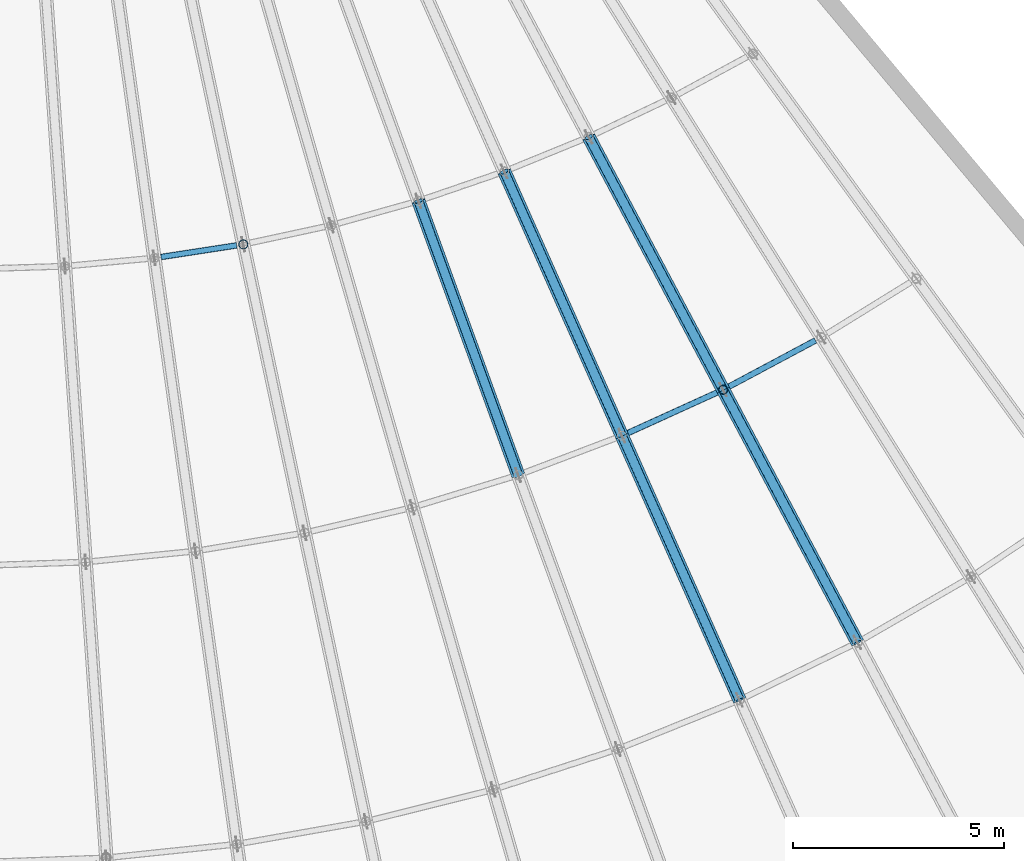
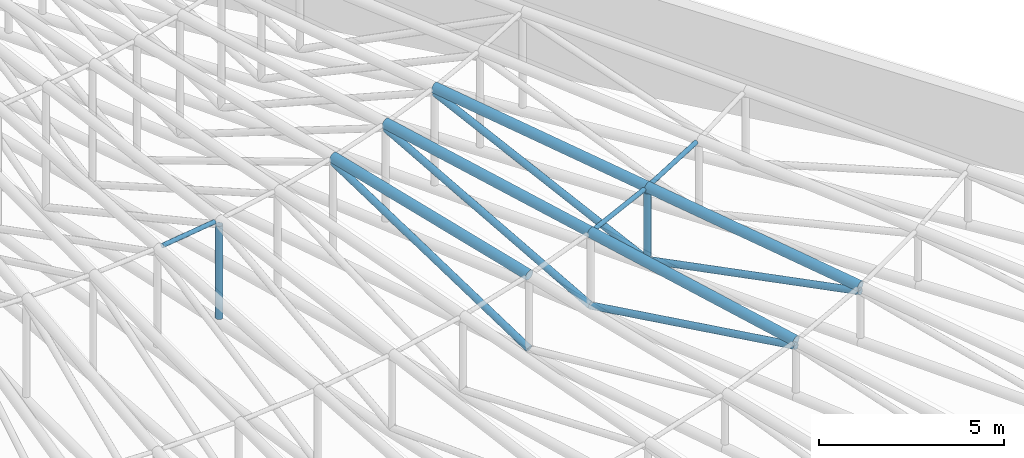
# One storey, part 35 of 163: 15 members.
"""IFC4 building model written with IfcOpenShell, lengths in metres."""

from ifc_helpers import new_model, si_unit, direction, frame, origin, origin_2d, place, context, subcontext, project, spatial, hollow_circle, extrude, material, material_profile, profile_set, type_object, element, save


model = new_model("IFC4")

# Units and contexts
model_context = context("Model", 3, precision=1e-05, world=origin(), true_north=direction((0.0, 1.0)))
body_context = subcontext(model_context, "Body", "Model", "MODEL_VIEW")
ifc_project = project(units=[si_unit("LENGTHUNIT", "METRE"), si_unit("AREAUNIT", "SQUARE_METRE"), si_unit("VOLUMEUNIT", "CUBIC_METRE"), si_unit("PLANEANGLEUNIT", "RADIAN"), si_unit("MASSUNIT", "GRAM", prefix="KILO")], contexts=[model_context])

# Site, building, storey
site_placement = place(None, origin())
site = spatial("IfcSite", under=ifc_project, at=site_placement, CompositionType="ELEMENT")
building_placement = place(site_placement, origin())
building = spatial("IfcBuilding", under=site, at=building_placement, Name="Rain Tree Exposition and Congress Centre", CompositionType="ELEMENT")
storey_placement = place(building_placement, frame((0.0, 0.0, 10.5)))
storey = spatial("IfcBuildingStorey", under=building, at=storey_placement, Name="L02", CompositionType="ELEMENT", Elevation=10.5)

# Members
ifc_material_1 = material(Name="Steel S355J2H", Category="steel")
ifc_material_profile_1 = material_profile(ifc_material_1, hollow_circle(Radius=0.108154296875, WallThickness=0.008056640625, at=origin_2d()), Name="CHS 216x8")
ifc_profile_set_1 = profile_set([ifc_material_profile_1], Name="Steel S355J2H")
member_type_1 = type_object("IfcMemberType", Name="Steel brace member CHS 216x8", PredefinedType="BRACE", material=ifc_profile_set_1)
member_1_placement = place(storey_placement, frame((214.48681640625, 31.793701171875, 0.318603515625), z_axis=(-0.313006046019, 0.859935451377, 0.403160308836), x_axis=(-0.939687304086, -0.342034750487, 0.0)))
element("IfcMember", 1, at=member_1_placement, inside=storey, type_object=member_type_1, Name="TD15-3", PredefinedType="BRACE", context=body_context, shape_type="SweptSolid", body=[
    extrude(hollow_circle(Radius=0.108154296875, WallThickness=0.008056640625, at=origin_2d()), origin(), (0.0, 0.0, 1.0), 7.5634765625),
])
member_2_placement = place(storey_placement, frame((219.740478515625, 26.455810546875, 1.810546875), z_axis=(-0.397453191662, 0.892705725868, -0.212385139406), x_axis=(-0.913547360783, -0.406732368524, 0.0)))
element("IfcMember", 2, at=member_2_placement, inside=storey, type_object=member_type_1, Name="TD16-2", PredefinedType="BRACE", context=body_context, shape_type="SweptSolid", body=[
    extrude(hollow_circle(Radius=0.108154296875, WallThickness=0.008056640625, at=origin_2d()), origin(), (0.0, 0.0, 1.0), 7.024658203125),
])
member_3_placement = place(storey_placement, frame((216.948486328125, 32.726806640625, 0.318603515625), z_axis=(-0.371977625984, 0.835453421073, 0.404537052672), x_axis=(-0.913541476776, -0.406745584131, 0.0)))
element("IfcMember", 3, at=member_3_placement, inside=storey, type_object=member_type_1, Name="TD16-3", PredefinedType="BRACE", context=body_context, shape_type="SweptSolid", body=[
    extrude(hollow_circle(Radius=0.108154296875, WallThickness=0.008056640625, at=origin_2d()), origin(), (0.0, 0.0, 1.0), 7.505859375),
])
member_4_placement = place(storey_placement, frame((222.538330078125, 27.820556640625, 1.810546875), z_axis=(-0.458528194381, 0.862399490994, -0.214520425346), x_axis=(-0.882955125335, -0.469457395984, 0.0)))
element("IfcMember", 4, at=member_4_placement, inside=storey, type_object=member_type_1, Name="TD17-2", PredefinedType="BRACE", context=body_context, shape_type="SweptSolid", body=[
    extrude(hollow_circle(Radius=0.108154296875, WallThickness=0.008056640625, at=origin_2d()), origin(), (0.0, 0.0, 1.0), 6.954833984375),
])
member_5_placement = place(storey_placement, frame((219.349365234375, 33.818359375, 0.318603515625), z_axis=(-0.428982689228, 0.806801401588, 0.406257739297), x_axis=(-0.882948148784, -0.469470517241, 0.0)))
element("IfcMember", 5, at=member_5_placement, inside=storey, type_object=member_type_1, Name="TD17-3", PredefinedType="BRACE", context=body_context, shape_type="SweptSolid", body=[
    extrude(hollow_circle(Radius=0.108154296875, WallThickness=0.008056640625, at=origin_2d()), origin(), (0.0, 0.0, 1.0), 7.434326171875),
])
ifc_material_2 = material(Name="Steel S355J2H", Category="steel")
ifc_material_profile_2 = material_profile(ifc_material_2, hollow_circle(Radius=0.1591796875, WallThickness=0.010009765625, at=origin_2d()), Name="CHS 318x10")
ifc_profile_set_2 = profile_set([ifc_material_profile_2], Name="Steel S355J2H")
member_type_2 = type_object("IfcMemberType", Name="Steel chord member CHS 318x10", PredefinedType="CHORD", material=ifc_profile_set_2)
member_6_placement = place(storey_placement, frame((214.48681640625, 31.793701171875, 2.750244140625), z_axis=(-0.339891280094, 0.933798452408, 0.111778208953), x_axis=(-0.939687304086, -0.342034750487, 0.0)))
element("IfcMember", 6, at=member_6_placement, inside=storey, type_object=member_type_2, Name="TT15-3", PredefinedType="CHORD", context=body_context, shape_type="SweptSolid", body=[
    extrude(hollow_circle(Radius=0.1591796875, WallThickness=0.010009765625, at=origin_2d()), origin(), (0.0, 0.0, 1.0), 6.96533203125),
])
member_7_placement = place(storey_placement, frame((219.740478515625, 26.455810546875, 1.971435546875), z_axis=(-0.404182909881, 0.907821110808, 0.11179000909), x_axis=(-0.913547360783, -0.406732368524, 0.0)))
element("IfcMember", 7, at=member_7_placement, inside=storey, type_object=member_type_2, Name="TT16-2", PredefinedType="CHORD", context=body_context, shape_type="SweptSolid", body=[
    extrude(hollow_circle(Radius=0.1591796875, WallThickness=0.010009765625, at=origin_2d()), origin(), (0.0, 0.0, 1.0), 6.90771484375),
])
member_8_placement = place(storey_placement, frame((216.948486328125, 32.726806640625, 2.74365234375), z_axis=(-0.404194281199, 0.907811307503, 0.111828498226), x_axis=(-0.913541476776, -0.406745584131, 0.0)))
element("IfcMember", 8, at=member_8_placement, inside=storey, type_object=member_type_2, Name="TT16-3", PredefinedType="CHORD", context=body_context, shape_type="SweptSolid", body=[
    extrude(hollow_circle(Radius=0.1591796875, WallThickness=0.010009765625, at=origin_2d()), origin(), (0.0, 0.0, 1.0), 6.907470703125),
])
member_9_placement = place(storey_placement, frame((222.538330078125, 27.820556640625, 1.971435546875), z_axis=(-0.466514807022, 0.877420706179, 0.111789262439), x_axis=(-0.882955125335, -0.469457395984, 0.0)))
element("IfcMember", 9, at=member_9_placement, inside=storey, type_object=member_type_2, Name="TT17-2", PredefinedType="CHORD", context=body_context, shape_type="SweptSolid", body=[
    extrude(hollow_circle(Radius=0.1591796875, WallThickness=0.010009765625, at=origin_2d()), origin(), (0.0, 0.0, 1.0), 6.835693359375),
])
member_10_placement = place(storey_placement, frame((219.349365234375, 33.818359375, 2.735595703125), z_axis=(-0.466526266629, 0.877410802921, 0.111819164114), x_axis=(-0.882948148784, -0.469470517241, 0.0)))
element("IfcMember", 10, at=member_10_placement, inside=storey, type_object=member_type_2, Name="TT17-3", PredefinedType="CHORD", context=body_context, shape_type="SweptSolid", body=[
    extrude(hollow_circle(Radius=0.1591796875, WallThickness=0.010009765625, at=origin_2d()), origin(), (0.0, 0.0, 1.0), 6.836181640625),
])
ifc_material_3 = material(Name="Steel S355J2H", Category="steel")
ifc_material_profile_3 = material_profile(ifc_material_3, hollow_circle(Radius=0.108154296875, WallThickness=0.008056640625, at=origin_2d()), Name="CHS 216x8")
ifc_profile_set_3 = profile_set([ifc_material_profile_3], Name="Steel S355J2H")
member_type_3 = type_object("IfcMemberType", Name="Steel post member CHS 216x8", PredefinedType="POST", material=ifc_profile_set_3)
member_11_placement = place(storey_placement, frame((207.962158203125, 37.268798828125, 0.318603515625), z_axis=(0.0, 0.0, 1.0), x_axis=(1.0, 0.0, 0.0)))
element("IfcMember", 11, at=member_11_placement, inside=storey, type_object=member_type_3, Name="TP13-3", PredefinedType="POST", context=body_context, shape_type="SweptSolid", body=[
    extrude(hollow_circle(Radius=0.108154296875, WallThickness=0.008056640625, at=origin_2d()), origin(), (0.0, 0.0, 1.0), 3.06689453125),
])
member_12_placement = place(storey_placement, frame((219.349365234375, 33.818359375, 0.318603515625), z_axis=(0.0, 0.0, 1.0), x_axis=(1.0, 0.0, 0.0)))
element("IfcMember", 12, at=member_12_placement, inside=storey, type_object=member_type_3, Name="TP17-2", PredefinedType="POST", context=body_context, shape_type="SweptSolid", body=[
    extrude(hollow_circle(Radius=0.108154296875, WallThickness=0.008056640625, at=origin_2d()), origin(), (0.0, 0.0, 1.0), 2.256103515625),
])
ifc_material_4 = material(Name="Steel S355J2H", Category="steel")
ifc_material_profile_4 = material_profile(ifc_material_4, hollow_circle(Radius=0.06982421875, WallThickness=0.0048828125, at=origin_2d()), Name="CHS 140x5")
ifc_profile_set_4 = profile_set([ifc_material_profile_4], Name="Steel S355J2H")
member_type_4 = type_object("IfcMemberType", Name="Steel purlin member CHS 140x5", PredefinedType="PURLIN", material=ifc_profile_set_4)
member_13_placement = place(storey_placement, frame((206.009521484375, 36.968505859375, 3.551513671875), z_axis=(0.988373135695, 0.152026386029, -0.002553935751), x_axis=(-0.152026881834, 0.988376359086, 0.0)))
element("IfcMember", 13, at=member_13_placement, inside=storey, type_object=member_type_4, Name="PU12-3", PredefinedType="PURLIN", context=body_context, shape_type="SweptSolid", body=[
    extrude(hollow_circle(Radius=0.06982421875, WallThickness=0.0048828125, at=origin_2d()), origin(), (0.0, 0.0, 1.0), 1.816162109375),
])
member_14_placement = place(storey_placement, frame((217.093505859375, 32.79248046875, 2.7431640625), z_axis=(0.910282894081, 0.41397551926, -0.00305322738), x_axis=(-0.413977448855, 0.910287137029, 0.0)))
element("IfcMember", 14, at=member_14_placement, inside=storey, type_object=member_type_4, Name="PU16-2", PredefinedType="PURLIN", context=body_context, shape_type="SweptSolid", body=[
    extrude(hollow_circle(Radius=0.06982421875, WallThickness=0.0048828125, at=origin_2d()), origin(), (0.0, 0.0, 1.0), 2.31884765625),
])
member_15_placement = place(storey_placement, frame((219.48974609375, 33.893310546875, 2.735107421875), z_axis=(0.882085228314, 0.471075515978, -0.003675355118), x_axis=(-0.47107869771, 0.882091186082, 0.0)))
element("IfcMember", 15, at=member_15_placement, inside=storey, type_object=member_type_4, Name="PU17-2", PredefinedType="PURLIN", context=body_context, shape_type="SweptSolid", body=[
    extrude(hollow_circle(Radius=0.06982421875, WallThickness=0.0048828125, at=origin_2d()), origin(), (0.0, 0.0, 1.0), 2.324951171875),
])

save(model, "model.ifc")
